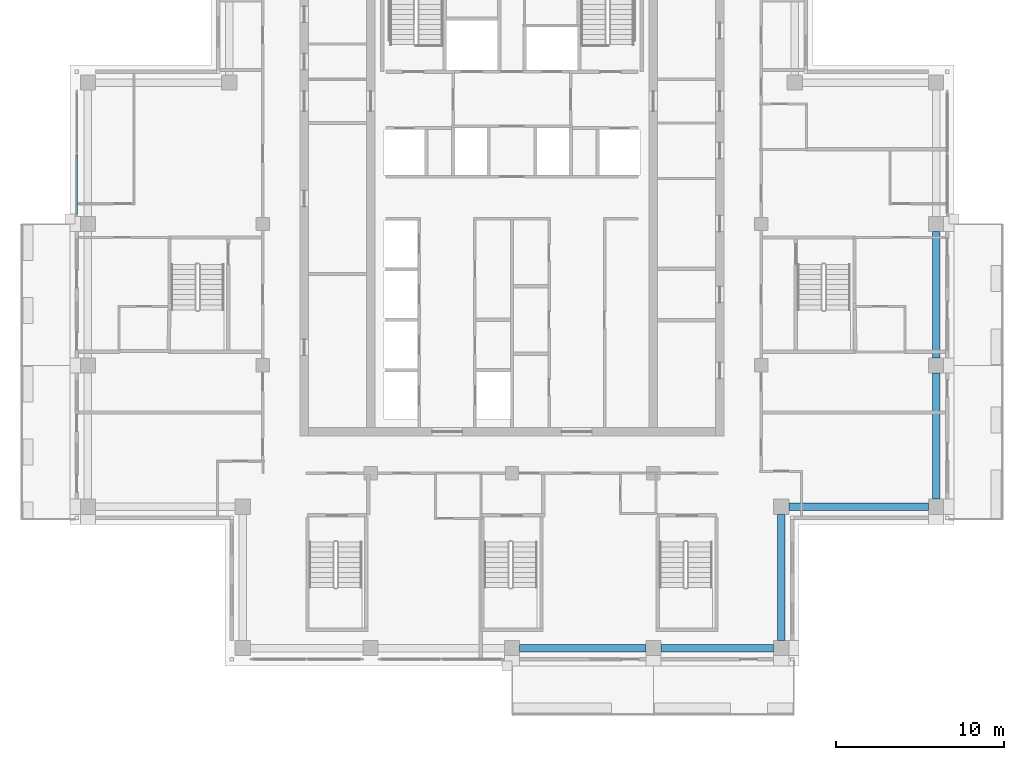
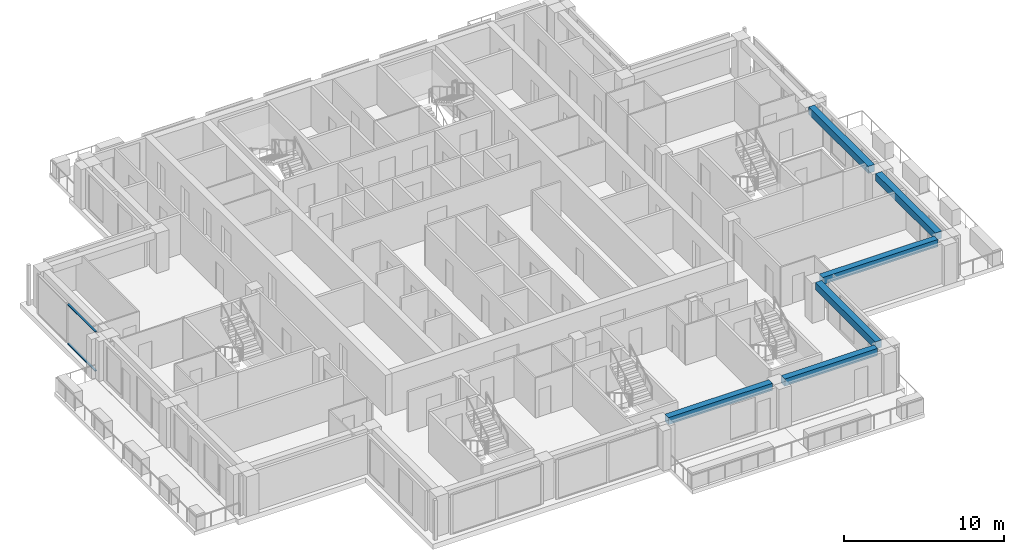
# One storey, part 3 of 17: 6 beams, 2 members, 1 element without a shape of its own.
"""IFC4 building model written with IfcOpenShell, lengths in metres."""

from ifc_helpers import new_model, si_unit, direction, frame, origin, origin_2d, place, context, subcontext, project, spatial, rectangle, extrude, material, material_profile, profile_set, type_object, element, aggregate, save


model = new_model("IFC4")

# Units and contexts
model_context = context("Model", 3, precision=1e-05, world=origin(), true_north=direction((0.0, 1.0)))
body_context = subcontext(model_context, "Body", "Model", "MODEL_VIEW")
ifc_project = project(units=[si_unit("LENGTHUNIT", "METRE"), si_unit("AREAUNIT", "SQUARE_METRE"), si_unit("VOLUMEUNIT", "CUBIC_METRE"), si_unit("PLANEANGLEUNIT", "RADIAN"), si_unit("MASSUNIT", "GRAM", prefix="KILO")], contexts=[model_context])

# Site, building, storey
site_placement = place(None, origin())
site = spatial("IfcSite", under=ifc_project, at=site_placement, CompositionType="ELEMENT")
building_placement = place(site_placement, origin())
building = spatial("IfcBuilding", under=site, at=building_placement, Name="Vermilion Ogive Tower", CompositionType="ELEMENT")
storey_placement = place(building_placement, frame((0.0, 0.0, 244.14990234375)))
storey = spatial("IfcBuildingStorey", under=building, at=storey_placement, Name="L64", CompositionType="ELEMENT", Elevation=244.14990234375)

# Curtain wall, members
ifc_material_1 = material(Name="Low-iron laminated glazing in aluminium frame", Category="aluminium")
curtain_wall_type = type_object("IfcCurtainWallType", Name="Curtain wall CW7", PredefinedType="NOTDEFINED", material=ifc_material_1)
curtain_wall_placement = place(storey_placement, origin())
curtain_wall = element("IfcCurtainWall", 1, at=curtain_wall_placement, inside=storey, type_object=curtain_wall_type, Name="Glazed skin W1", PredefinedType="NOTDEFINED")
ifc_material_2 = material(Name="Aluminium transom", Category="aluminium")
ifc_material_profile_1 = material_profile(ifc_material_2, rectangle(XDim=0.139892578125, YDim=0.06005859375, at=origin_2d()), Name="AL 60x140")
ifc_profile_set_1 = profile_set([ifc_material_profile_1], Name="Aluminium transom")
member_type = type_object("IfcMemberType", Name="CW7 transom 60x140", PredefinedType="USERDEFINED", material=ifc_profile_set_1)
member_1_placement = place(storey_placement, frame((-25.85009765625, 8.31005859375, 0.030029296875), z_axis=(0.0, -1.0, 0.0), x_axis=(1.0, 0.0, 0.0)))
member_1 = element("IfcMember", 2, at=member_1_placement, type_object=member_type, Name="CW7-W1 transom 2.1", ObjectType="TRANSOM", PredefinedType="USERDEFINED", context=body_context, shape_type="SweptSolid", body=[
    extrude(rectangle(XDim=0.139892578125, YDim=0.06005859375, at=origin_2d()), origin(), (0.0, 0.0, 1.0), 3.47998046875),
])
member_2_placement = place(storey_placement, frame((-25.85009765625, 8.31005859375, 3.02001953125), z_axis=(0.0, -1.0, 0.0), x_axis=(1.0, 0.0, 0.0)))
member_2 = element("IfcMember", 3, at=member_2_placement, type_object=member_type, Name="CW7-W1 transom 2.2", ObjectType="TRANSOM", PredefinedType="USERDEFINED", context=body_context, shape_type="SweptSolid", body=[
    extrude(rectangle(XDim=0.139892578125, YDim=0.06005859375, at=origin_2d()), origin(), (0.0, 0.0, 1.0), 3.47998046875),
])
aggregate(curtain_wall, [member_1, member_2])

# Beams
ifc_material_3 = material(Name="Concrete B45", Category="concrete")
ifc_material_profile_2 = material_profile(ifc_material_3, rectangle(XDim=0.449951171875, YDim=0.550048828125, at=origin_2d()), Name="450 x 550")
ifc_profile_set_2 = profile_set([ifc_material_profile_2], Name="Concrete B45")
beam_type = type_object("IfcBeamType", Name="Edge beam 450 x 550 B45", PredefinedType="BEAM", material=ifc_profile_set_2)
beam_1_placement = place(storey_placement, frame((0.449951171875, -21.0, 2.775146484375), z_axis=(1.0, 0.0, 0.0), x_axis=(0.0, 1.0, 0.0)))
element("IfcBeam", 4, at=beam_1_placement, inside=storey, type_object=beam_type, Name="L64-EB-3", PredefinedType="BEAM", context=body_context, shape_type="SweptSolid", body=[
    extrude(rectangle(XDim=0.449951171875, YDim=0.550048828125, at=origin_2d()), origin(), (0.0, 0.0, 1.0), 7.5),
])
beam_2_placement = place(storey_placement, frame((8.85009765625, -21.0, 2.775146484375), z_axis=(1.0, 0.0, 0.0), x_axis=(0.0, 1.0, 0.0)))
element("IfcBeam", 5, at=beam_2_placement, inside=storey, type_object=beam_type, Name="L64-EB-4", PredefinedType="BEAM", context=body_context, shape_type="SweptSolid", body=[
    extrude(rectangle(XDim=0.449951171875, YDim=0.550048828125, at=origin_2d()), origin(), (0.0, 0.0, 1.0), 6.699951171875),
])
beam_3_placement = place(storey_placement, frame((16.0, -20.550048828125, 2.775146484375), z_axis=(0.0, 1.0, 0.0), x_axis=(-1.0, 0.0, 0.0)))
element("IfcBeam", 6, at=beam_3_placement, inside=storey, type_object=beam_type, Name="L64-EB-5", PredefinedType="BEAM", context=body_context, shape_type="SweptSolid", body=[
    extrude(rectangle(XDim=0.449951171875, YDim=0.550048828125, at=origin_2d()), origin(), (0.0, 0.0, 1.0), 7.5),
])
beam_4_placement = place(storey_placement, frame((16.449951171875, -12.60009765625, 2.775146484375), z_axis=(1.0, 0.0, 0.0), x_axis=(0.0, 1.0, 0.0)))
element("IfcBeam", 7, at=beam_4_placement, inside=storey, type_object=beam_type, Name="L64-EB-6", PredefinedType="BEAM", context=body_context, shape_type="SweptSolid", body=[
    extrude(rectangle(XDim=0.449951171875, YDim=0.550048828125, at=origin_2d()), origin(), (0.0, 0.0, 1.0), 8.300048828125),
])
for number, where, z_axis, x_axis, name in (
    (8, (25.199951171875, -12.14990234375, 2.775146484375), (0.0, 1.0, 0.0), (-1.0, 0.0, 0.0), "L64-EB-7"),
    (9, (25.199951171875, -3.75, 2.775146484375), (0.0, 1.0, 0.0), (-1.0, 0.0, 0.0), "L64-EB-8"),
):
    element("IfcBeam", number, at=place(storey_placement, frame(where, z_axis=z_axis, x_axis=x_axis)), inside=storey, type_object=beam_type, Name=name, PredefinedType="BEAM", context=body_context, shape_type="SweptSolid", body=[
        extrude(rectangle(XDim=0.449951171875, YDim=0.550048828125, at=origin_2d()), origin(), (0.0, 0.0, 1.0), 7.5),
    ])

save(model, "model.ifc")
